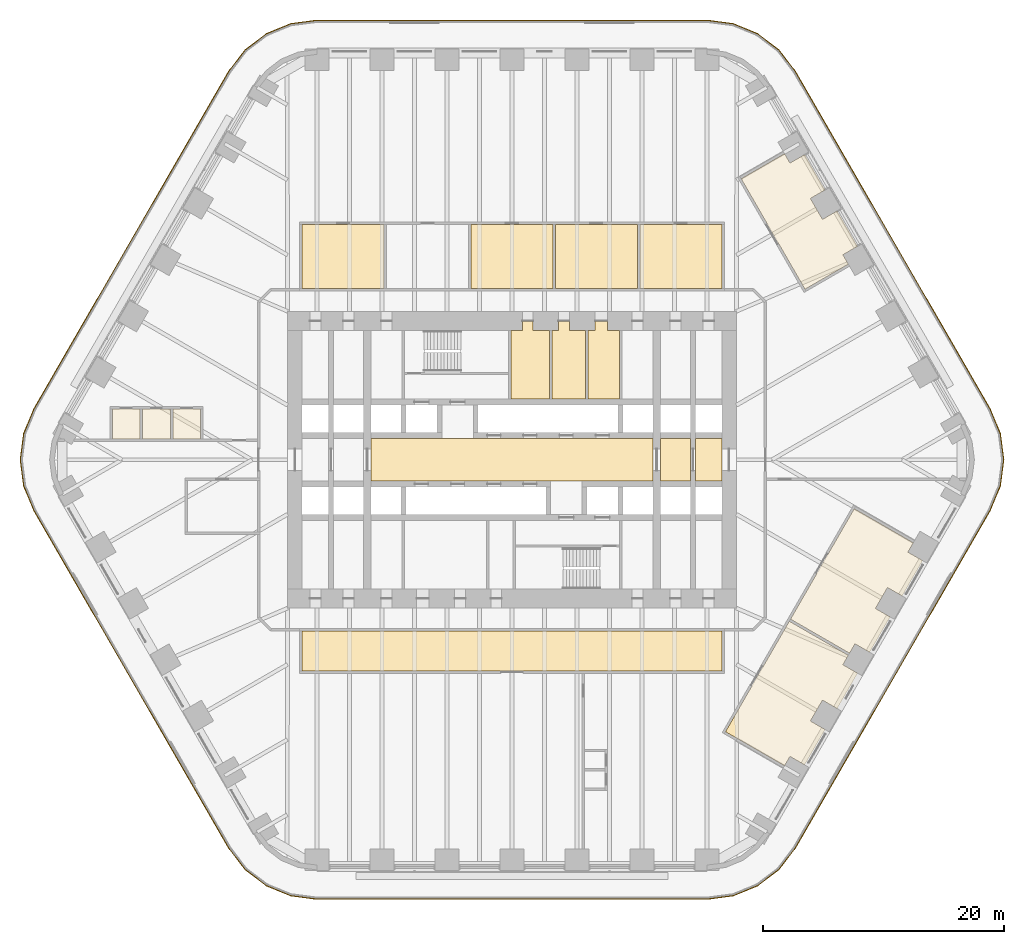
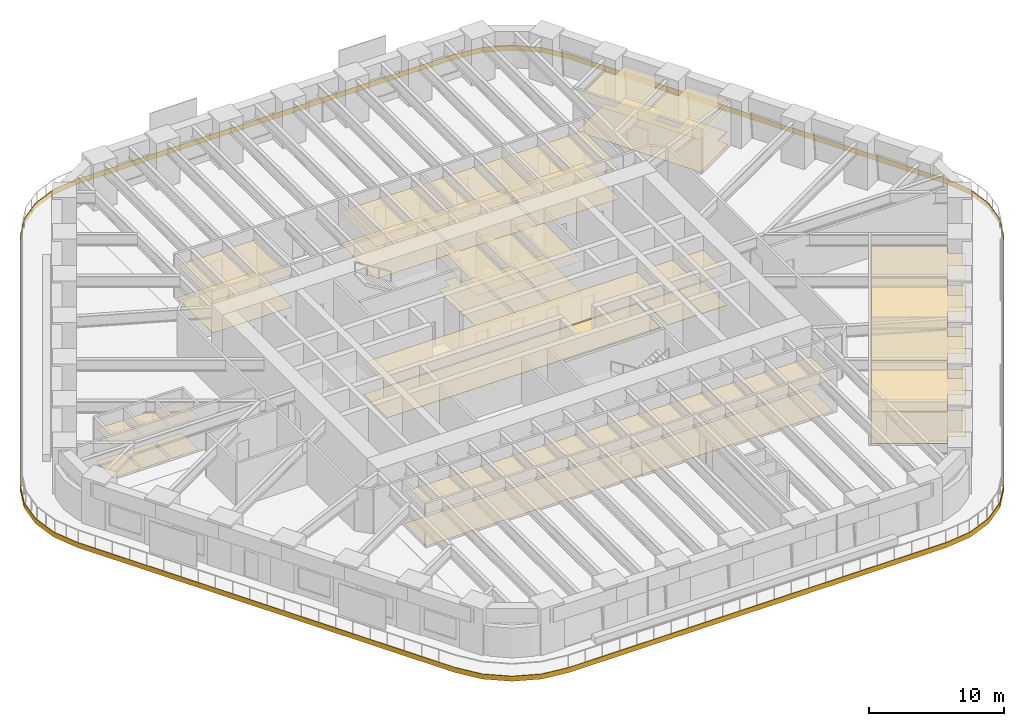
# One storey, part 22 of 23: 15 coverings.
"""IFC4 building model written with IfcOpenShell, lengths in metres."""

from ifc_helpers import new_model, si_unit, direction, frame, origin, place, context, subcontext, project, spatial, polyline, outline, extrude, material, layer, layer_set, type_object, element, save


model = new_model("IFC4")

# Units and contexts
model_context = context("Model", 3, precision=1e-05, world=origin(), true_north=direction((0.0, 1.0)))
body_context = subcontext(model_context, "Body", "Model", "MODEL_VIEW")
ifc_project = project(units=[si_unit("LENGTHUNIT", "METRE"), si_unit("AREAUNIT", "SQUARE_METRE"), si_unit("VOLUMEUNIT", "CUBIC_METRE"), si_unit("PLANEANGLEUNIT", "RADIAN"), si_unit("MASSUNIT", "GRAM", prefix="KILO")], contexts=[model_context])

# Site, building, storey
site_placement = place(None, origin())
site = spatial("IfcSite", under=ifc_project, at=site_placement, CompositionType="ELEMENT")
building_placement = place(site_placement, origin())
building = spatial("IfcBuilding", under=site, at=building_placement, Name="Tarfa Lantern Tower", CompositionType="ELEMENT")
storey_placement = place(building_placement, frame((0.0, 0.0, 61.300048828125)))
storey = spatial("IfcBuildingStorey", under=building, at=storey_placement, Name="L13", CompositionType="ELEMENT", Elevation=61.300048828125)

# Coverings
ifc_material_1 = material(Name="Mineral fibre acoustic tile on suspension grid", Category="finish")
ifc_layer_1 = layer(ifc_material_1, 0.02001953125)
ifc_layer_set_1 = layer_set([ifc_layer_1], Name="CL1 ACOUSTIC TILE CEILING 20")
covering_type_1 = type_object("IfcCoveringType", Name="CL1 ACOUSTIC TILE CEILING 20", PredefinedType="CEILING", material=ifc_layer_set_1)
covering_1_placement = place(storey_placement, frame((0.0, 0.0, 2.89990234375)))
element("IfcCovering", 1, at=covering_1_placement, inside=storey, type_object=covering_type_1, Name="Ceiling L13 CL1", PredefinedType="CEILING", context=body_context, shape_type="SweptSolid", body=[
    extrude(outline(polyline([(-17.39990234375, 19.5), (-10.60009765625, 19.5), (-10.60009765625, 14.199951171875), (-17.39990234375, 14.199951171875), (-17.39990234375, 19.5)])), origin(), (0.0, 0.0, 1.0), 0.02001953125),
    extrude(outline(polyline([(-3.39990234375, 19.5), (3.39990234375, 19.5), (3.39990234375, 14.199951171875), (-3.39990234375, 14.199951171875), (-3.39990234375, 19.5)])), origin(), (0.0, 0.0, 1.0), 0.02001953125),
    extrude(outline(polyline([(3.60009765625, 19.5), (10.39990234375, 19.5), (10.39990234375, 14.199951171875), (3.60009765625, 14.199951171875), (3.60009765625, 19.5)])), origin(), (0.0, 0.0, 1.0), 0.02001953125),
    extrude(outline(polyline([(10.60009765625, 19.5), (17.39990234375, 19.5), (17.39990234375, 14.199951171875), (10.60009765625, 14.199951171875), (10.60009765625, 19.5)])), origin(), (0.0, 0.0, 1.0), 0.02001953125),
    extrude(outline(polyline([(18.996826171875, 23.296630859375), (22.5908203125, 25.371826171875), (23.040771484375, 24.59228515625), (24.253173828125, 25.292236328125), (25.947509765625, 22.357666015625), (24.735107421875, 21.65771484375), (25.735107421875, 19.925537109375), (26.947509765625, 20.625732421875), (28.641845703125, 17.69091796875), (27.42919921875, 16.990966796875), (27.87939453125, 16.211669921875), (24.285400390625, 14.13671875), (18.996826171875, 23.296630859375)])), origin(), (0.0, 0.0, 1.0), 0.02001953125),
    extrude(outline(polyline([(22.986328125, -13.38671875), (27.87939453125, -16.211669921875), (27.42919921875, -16.990966796875), (28.641845703125, -17.69091796875), (26.947509765625, -20.625732421875), (25.735107421875, -19.925537109375), (24.735107421875, -21.65771484375), (25.947509765625, -22.357666015625), (24.253173828125, -25.292236328125), (23.040771484375, -24.59228515625), (22.5908203125, -25.371826171875), (17.69775390625, -22.546630859375), (22.986328125, -13.38671875)])), origin(), (0.0, 0.0, 1.0), 0.02001953125),
    extrude(outline(polyline([(28.375, -4.05322265625), (33.267822265625, -6.878173828125), (32.81787109375, -7.65771484375), (34.0302734375, -8.357666015625), (32.3359375, -11.292236328125), (31.12353515625, -10.59228515625), (30.12353515625, -12.324462890625), (31.3359375, -13.0244140625), (29.641845703125, -15.958984375), (28.42919921875, -15.259033203125), (27.979248046875, -16.038330078125), (23.086181640625, -13.21337890625), (28.375, -4.05322265625)])), origin(), (0.0, 0.0, 1.0), 0.02001953125),
    extrude(outline(polyline([(-28.118408203125, 4.199951171875), (-25.818359375, 4.199951171875), (-25.818359375, 1.699951171875), (-28.118408203125, 1.699951171875), (-28.118408203125, 4.199951171875)])), origin(), (0.0, 0.0, 1.0), 0.02001953125),
    extrude(outline(polyline([(-30.618408203125, 4.199951171875), (-28.318359375, 4.199951171875), (-28.318359375, 1.699951171875), (-30.618408203125, 1.699951171875), (-30.618408203125, 4.199951171875)])), origin(), (0.0, 0.0, 1.0), 0.02001953125),
    extrude(outline(polyline([(-33.118408203125, 4.199951171875), (-30.818359375, 4.199951171875), (-30.818359375, 1.699951171875), (-33.118408203125, 1.699951171875), (-33.118408203125, 4.199951171875)])), origin(), (0.0, 0.0, 1.0), 0.02001953125),
    extrude(outline(polyline([(-17.39990234375, -14.199951171875), (17.39990234375, -14.199951171875), (17.39990234375, -17.5), (-17.39990234375, -17.5), (-17.39990234375, -14.199951171875)])), origin(), (0.0, 0.0, 1.0), 0.02001953125),
])
ifc_material_2 = material(Name="Moisture-resistant plasterboard", Category="finish")
ifc_layer_2 = layer(ifc_material_2, 0.014892578125)
ifc_layer_set_2 = layer_set([ifc_layer_2], Name="CL2 MOISTURE-RESISTANT PLASTERBOARD CEILING 15")
covering_type_2 = type_object("IfcCoveringType", Name="CL2 MOISTURE-RESISTANT PLASTERBOARD CEILING 15", PredefinedType="CEILING", material=ifc_layer_set_2)
covering_2_placement = place(storey_placement, frame((0.0, 0.0, 2.89990234375)))
element("IfcCovering", 2, at=covering_2_placement, inside=storey, type_object=covering_type_2, Name="Ceiling L13-09", PredefinedType="CEILING", context=body_context, shape_type="SweptSolid", body=[
    extrude(outline(polyline([(0.85009765625, 10.699951171875), (-0.10009765625, 10.699951171875), (-0.10009765625, 5.050048828125), (3.10009765625, 5.050048828125), (3.10009765625, 10.699951171875), (1.75, 10.699951171875), (1.75, 11.5), (0.85009765625, 11.5), (0.85009765625, 10.699951171875)])), origin(), (0.0, 0.0, 1.0), 0.01513671875),
])
covering_3_placement = place(storey_placement, frame((0.0, 0.0, 2.89990234375)))
element("IfcCovering", 3, at=covering_3_placement, inside=storey, type_object=covering_type_2, Name="Ceiling L13-10", PredefinedType="CEILING", context=body_context, shape_type="SweptSolid", body=[
    extrude(outline(polyline([(3.300048828125, 5.050048828125), (6.10009765625, 5.050048828125), (6.10009765625, 10.699951171875), (4.75, 10.699951171875), (4.75, 11.5), (3.85009765625, 11.5), (3.85009765625, 10.699951171875), (3.300048828125, 10.699951171875), (3.300048828125, 5.050048828125)])), origin(), (0.0, 0.0, 1.0), 0.01513671875),
])
covering_4_placement = place(storey_placement, frame((0.0, 0.0, 2.89990234375)))
element("IfcCovering", 4, at=covering_4_placement, inside=storey, type_object=covering_type_2, Name="Ceiling L13-11", PredefinedType="CEILING", context=body_context, shape_type="SweptSolid", body=[
    extrude(outline(polyline([(6.300048828125, 5.050048828125), (8.89990234375, 5.050048828125), (8.89990234375, 10.699951171875), (7.89990234375, 10.699951171875), (7.89990234375, 11.5), (6.89990234375, 11.5), (6.89990234375, 10.699951171875), (6.300048828125, 10.699951171875), (6.300048828125, 5.050048828125)])), origin(), (0.0, 0.0, 1.0), 0.01513671875),
])
ifc_material_3 = material(Name="Powder-coated aluminium panel", Category="aluminium")
ifc_layer_3 = layer(ifc_material_3, 0.030029296875)
ifc_layer_set_3 = layer_set([ifc_layer_3], Name="CL3 METAL PANEL CEILING 30")
covering_type_3 = type_object("IfcCoveringType", Name="CL3 METAL PANEL CEILING 30", PredefinedType="CEILING", material=ifc_layer_set_3)
covering_5_placement = place(storey_placement, frame((0.0, 0.0, 2.89990234375)))
element("IfcCovering", 5, at=covering_5_placement, inside=storey, type_object=covering_type_3, Name="Ceiling L13-03", PredefinedType="CEILING", context=body_context, shape_type="SweptSolid", body=[
    extrude(outline(polyline([(-11.699951171875, -1.75), (11.699951171875, -1.75), (11.699951171875, 1.75), (-11.699951171875, 1.75), (-11.699951171875, -1.75)])), origin(), (0.0, 0.0, 1.0), 0.030029296875),
])
covering_6_placement = place(storey_placement, frame((0.0, 0.0, 2.89990234375)))
element("IfcCovering", 6, at=covering_6_placement, inside=storey, type_object=covering_type_3, Name="Ceiling L13-04", PredefinedType="CEILING", context=body_context, shape_type="SweptSolid", body=[
    extrude(outline(polyline([(12.300048828125, -1.75), (14.800048828125, -1.75), (14.800048828125, 1.75), (12.300048828125, 1.75), (12.300048828125, -1.75)])), origin(), (0.0, 0.0, 1.0), 0.030029296875),
])
covering_7_placement = place(storey_placement, frame((0.0, 0.0, 2.89990234375)))
element("IfcCovering", 7, at=covering_7_placement, inside=storey, type_object=covering_type_3, Name="Ceiling L13-05", PredefinedType="CEILING", context=body_context, shape_type="SweptSolid", body=[
    extrude(outline(polyline([(15.199951171875, -1.75), (17.39990234375, -1.75), (17.39990234375, 1.75), (15.199951171875, 1.75), (15.199951171875, -1.75)])), origin(), (0.0, 0.0, 1.0), 0.030029296875),
])
ifc_material_4 = material(Name="Nylon carpet tile", Category="finish")
ifc_layer_4 = layer(ifc_material_4, 0.010009765625)
ifc_layer_set_4 = layer_set([ifc_layer_4], Name="FL1 CARPET TILE 10")
covering_type_4 = type_object("IfcCoveringType", Name="FL1 CARPET TILE 10", PredefinedType="FLOORING", material=ifc_layer_set_4)
covering_8_placement = place(storey_placement, origin())
element("IfcCovering", 8, at=covering_8_placement, inside=storey, type_object=covering_type_4, Name="Floor finish L13 FL1", PredefinedType="FLOORING", context=body_context, shape_type="SweptSolid", body=[
    extrude(outline(polyline([(-17.39990234375, 19.5), (-10.60009765625, 19.5), (-10.60009765625, 14.199951171875), (-17.39990234375, 14.199951171875), (-17.39990234375, 19.5)])), origin(), (0.0, 0.0, 1.0), 0.010009765625),
    extrude(outline(polyline([(-3.39990234375, 19.5), (3.39990234375, 19.5), (3.39990234375, 14.199951171875), (-3.39990234375, 14.199951171875), (-3.39990234375, 19.5)])), origin(), (0.0, 0.0, 1.0), 0.010009765625),
    extrude(outline(polyline([(3.60009765625, 19.5), (10.39990234375, 19.5), (10.39990234375, 14.199951171875), (3.60009765625, 14.199951171875), (3.60009765625, 19.5)])), origin(), (0.0, 0.0, 1.0), 0.010009765625),
    extrude(outline(polyline([(10.60009765625, 19.5), (17.39990234375, 19.5), (17.39990234375, 14.199951171875), (10.60009765625, 14.199951171875), (10.60009765625, 19.5)])), origin(), (0.0, 0.0, 1.0), 0.010009765625),
    extrude(outline(polyline([(18.996826171875, 23.296630859375), (22.5908203125, 25.371826171875), (23.040771484375, 24.59228515625), (24.253173828125, 25.292236328125), (25.947509765625, 22.357666015625), (24.735107421875, 21.65771484375), (25.735107421875, 19.925537109375), (26.947509765625, 20.625732421875), (28.641845703125, 17.69091796875), (27.42919921875, 16.990966796875), (27.87939453125, 16.211669921875), (24.285400390625, 14.13671875), (18.996826171875, 23.296630859375)])), origin(), (0.0, 0.0, 1.0), 0.010009765625),
    extrude(outline(polyline([(22.986328125, -13.38671875), (27.87939453125, -16.211669921875), (27.42919921875, -16.990966796875), (28.641845703125, -17.69091796875), (26.947509765625, -20.625732421875), (25.735107421875, -19.925537109375), (24.735107421875, -21.65771484375), (25.947509765625, -22.357666015625), (24.253173828125, -25.292236328125), (23.040771484375, -24.59228515625), (22.5908203125, -25.371826171875), (17.69775390625, -22.546630859375), (22.986328125, -13.38671875)])), origin(), (0.0, 0.0, 1.0), 0.010009765625),
    extrude(outline(polyline([(28.375, -4.05322265625), (33.267822265625, -6.878173828125), (32.81787109375, -7.65771484375), (34.0302734375, -8.357666015625), (32.3359375, -11.292236328125), (31.12353515625, -10.59228515625), (30.12353515625, -12.324462890625), (31.3359375, -13.0244140625), (29.641845703125, -15.958984375), (28.42919921875, -15.259033203125), (27.979248046875, -16.038330078125), (23.086181640625, -13.21337890625), (28.375, -4.05322265625)])), origin(), (0.0, 0.0, 1.0), 0.010009765625),
    extrude(outline(polyline([(-28.118408203125, 4.199951171875), (-25.818359375, 4.199951171875), (-25.818359375, 1.699951171875), (-28.118408203125, 1.699951171875), (-28.118408203125, 4.199951171875)])), origin(), (0.0, 0.0, 1.0), 0.010009765625),
    extrude(outline(polyline([(-30.618408203125, 4.199951171875), (-28.318359375, 4.199951171875), (-28.318359375, 1.699951171875), (-30.618408203125, 1.699951171875), (-30.618408203125, 4.199951171875)])), origin(), (0.0, 0.0, 1.0), 0.010009765625),
    extrude(outline(polyline([(-33.118408203125, 4.199951171875), (-30.818359375, 4.199951171875), (-30.818359375, 1.699951171875), (-33.118408203125, 1.699951171875), (-33.118408203125, 4.199951171875)])), origin(), (0.0, 0.0, 1.0), 0.010009765625),
    extrude(outline(polyline([(-17.39990234375, -14.199951171875), (17.39990234375, -14.199951171875), (17.39990234375, -17.5), (-17.39990234375, -17.5), (-17.39990234375, -14.199951171875)])), origin(), (0.0, 0.0, 1.0), 0.010009765625),
])
ifc_material_5 = material(Name="Honed limestone flooring", Category="masonry")
ifc_layer_5 = layer(ifc_material_5, 0.030029296875)
ifc_layer_set_5 = layer_set([ifc_layer_5], Name="FL2 STONE FLOORING 30")
covering_type_5 = type_object("IfcCoveringType", Name="FL2 STONE FLOORING 30", PredefinedType="FLOORING", material=ifc_layer_set_5)
covering_9_placement = place(storey_placement, origin())
element("IfcCovering", 9, at=covering_9_placement, inside=storey, type_object=covering_type_5, Name="Floor finish L13-03", PredefinedType="FLOORING", context=body_context, shape_type="SweptSolid", body=[
    extrude(outline(polyline([(-11.699951171875, -1.75), (11.699951171875, -1.75), (11.699951171875, 1.75), (-11.699951171875, 1.75), (-11.699951171875, -1.75)])), origin(), (0.0, 0.0, 1.0), 0.030029296875),
])
covering_10_placement = place(storey_placement, origin())
element("IfcCovering", 10, at=covering_10_placement, inside=storey, type_object=covering_type_5, Name="Floor finish L13-04", PredefinedType="FLOORING", context=body_context, shape_type="SweptSolid", body=[
    extrude(outline(polyline([(12.300048828125, -1.75), (14.800048828125, -1.75), (14.800048828125, 1.75), (12.300048828125, 1.75), (12.300048828125, -1.75)])), origin(), (0.0, 0.0, 1.0), 0.030029296875),
])
covering_11_placement = place(storey_placement, origin())
element("IfcCovering", 11, at=covering_11_placement, inside=storey, type_object=covering_type_5, Name="Floor finish L13-05", PredefinedType="FLOORING", context=body_context, shape_type="SweptSolid", body=[
    extrude(outline(polyline([(15.199951171875, -1.75), (17.39990234375, -1.75), (17.39990234375, 1.75), (15.199951171875, 1.75), (15.199951171875, -1.75)])), origin(), (0.0, 0.0, 1.0), 0.030029296875),
])
ifc_material_6 = material(Name="Porcelain floor tile", Category="finish")
ifc_layer_6 = layer(ifc_material_6, 0.011962890625)
ifc_layer_set_6 = layer_set([ifc_layer_6], Name="FL3 CERAMIC TILE 12")
covering_type_6 = type_object("IfcCoveringType", Name="FL3 CERAMIC TILE 12", PredefinedType="FLOORING", material=ifc_layer_set_6)
covering_12_placement = place(storey_placement, origin())
element("IfcCovering", 12, at=covering_12_placement, inside=storey, type_object=covering_type_6, Name="Floor finish L13-09", PredefinedType="FLOORING", context=body_context, shape_type="SweptSolid", body=[
    extrude(outline(polyline([(0.85009765625, 10.699951171875), (-0.10009765625, 10.699951171875), (-0.10009765625, 5.050048828125), (3.10009765625, 5.050048828125), (3.10009765625, 10.699951171875), (1.75, 10.699951171875), (1.75, 11.5), (0.85009765625, 11.5), (0.85009765625, 10.699951171875)])), origin(), (0.0, 0.0, 1.0), 0.011962890625),
])
covering_13_placement = place(storey_placement, origin())
element("IfcCovering", 13, at=covering_13_placement, inside=storey, type_object=covering_type_6, Name="Floor finish L13-10", PredefinedType="FLOORING", context=body_context, shape_type="SweptSolid", body=[
    extrude(outline(polyline([(3.300048828125, 5.050048828125), (6.10009765625, 5.050048828125), (6.10009765625, 10.699951171875), (4.75, 10.699951171875), (4.75, 11.5), (3.85009765625, 11.5), (3.85009765625, 10.699951171875), (3.300048828125, 10.699951171875), (3.300048828125, 5.050048828125)])), origin(), (0.0, 0.0, 1.0), 0.011962890625),
])
covering_14_placement = place(storey_placement, origin())
element("IfcCovering", 14, at=covering_14_placement, inside=storey, type_object=covering_type_6, Name="Floor finish L13-11", PredefinedType="FLOORING", context=body_context, shape_type="SweptSolid", body=[
    extrude(outline(polyline([(6.300048828125, 5.050048828125), (8.89990234375, 5.050048828125), (8.89990234375, 10.699951171875), (7.89990234375, 10.699951171875), (7.89990234375, 11.5), (6.89990234375, 11.5), (6.89990234375, 10.699951171875), (6.300048828125, 10.699951171875), (6.300048828125, 5.050048828125)])), origin(), (0.0, 0.0, 1.0), 0.011962890625),
])
ifc_material_7 = material(Name="Limestone cladding on brackets", Category="masonry")
ifc_layer_7 = layer(ifc_material_7, 0.050048828125)
ifc_layer_set_7 = layer_set([ifc_layer_7], Name="SB1 STONE BAND CLADDING 50")
covering_type_7 = type_object("IfcCoveringType", Name="SB1 STONE BAND CLADDING 50", PredefinedType="CLADDING", material=ifc_layer_set_7)
covering_15_placement = place(storey_placement, frame((0.0, 0.0, -0.400146484375)))
element("IfcCovering", 15, at=covering_15_placement, inside=storey, type_object=covering_type_7, Name="Stone band", PredefinedType="CLADDING", context=body_context, shape_type="SweptSolid", body=[
    extrude(outline(polyline([(39.6494140625, 4.22509765625), (23.483642578125, 32.22509765625), (22.140869140625, 33.97509765625), (20.390869140625, 35.31787109375), (18.352783203125, 36.162109375), (16.165771484375, 36.449951171875), (-16.165771484375, 36.449951171875), (-18.352783203125, 36.162109375), (-20.390869140625, 35.31787109375), (-22.140869140625, 33.97509765625), (-23.483642578125, 32.22509765625), (-39.6494140625, 4.22509765625), (-40.49365234375, 2.18701171875), (-40.781494140625, 0.0), (-40.49365234375, -2.18701171875), (-39.6494140625, -4.22509765625), (-23.483642578125, -32.22509765625), (-22.140869140625, -33.97509765625), (-20.390869140625, -35.31787109375), (-18.352783203125, -36.162109375), (-16.165771484375, -36.449951171875), (16.165771484375, -36.449951171875), (18.352783203125, -36.162109375), (20.390869140625, -35.31787109375), (22.140869140625, -33.97509765625), (23.483642578125, -32.22509765625), (39.6494140625, -4.22509765625), (40.49365234375, -2.18701171875), (40.781494140625, 0.0), (40.49365234375, 2.18701171875), (39.6494140625, 4.22509765625)]), holes=[polyline([(39.606201171875, 4.199951171875), (23.4404296875, 32.199951171875), (22.10546875, 33.939697265625), (20.36572265625, 35.274658203125), (18.33984375, 36.11376953125), (16.165771484375, 36.39990234375), (-16.165771484375, 36.39990234375), (-18.33984375, 36.11376953125), (-20.36572265625, 35.274658203125), (-22.10546875, 33.939697265625), (-23.4404296875, 32.199951171875), (-39.606201171875, 4.199951171875), (-40.4453125, 2.174072265625), (-40.731689453125, 0.0), (-40.4453125, -2.174072265625), (-39.606201171875, -4.199951171875), (-23.4404296875, -32.199951171875), (-22.10546875, -33.939697265625), (-20.36572265625, -35.274658203125), (-18.33984375, -36.11376953125), (-16.165771484375, -36.39990234375), (16.165771484375, -36.39990234375), (18.33984375, -36.11376953125), (20.36572265625, -35.274658203125), (22.10546875, -33.939697265625), (23.4404296875, -32.199951171875), (39.606201171875, -4.199951171875), (40.4453125, -2.174072265625), (40.731689453125, 0.0), (40.4453125, 2.174072265625), (39.606201171875, 4.199951171875)])]), origin(), (0.0, 0.0, 1.0), 0.4501953125),
])

save(model, "model.ifc")
